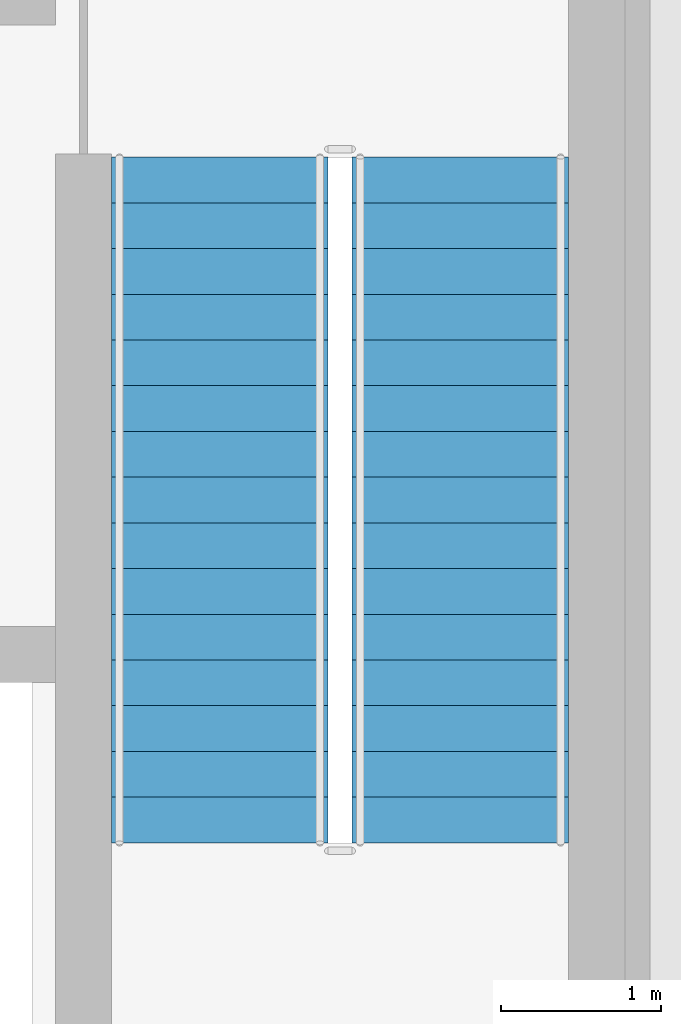
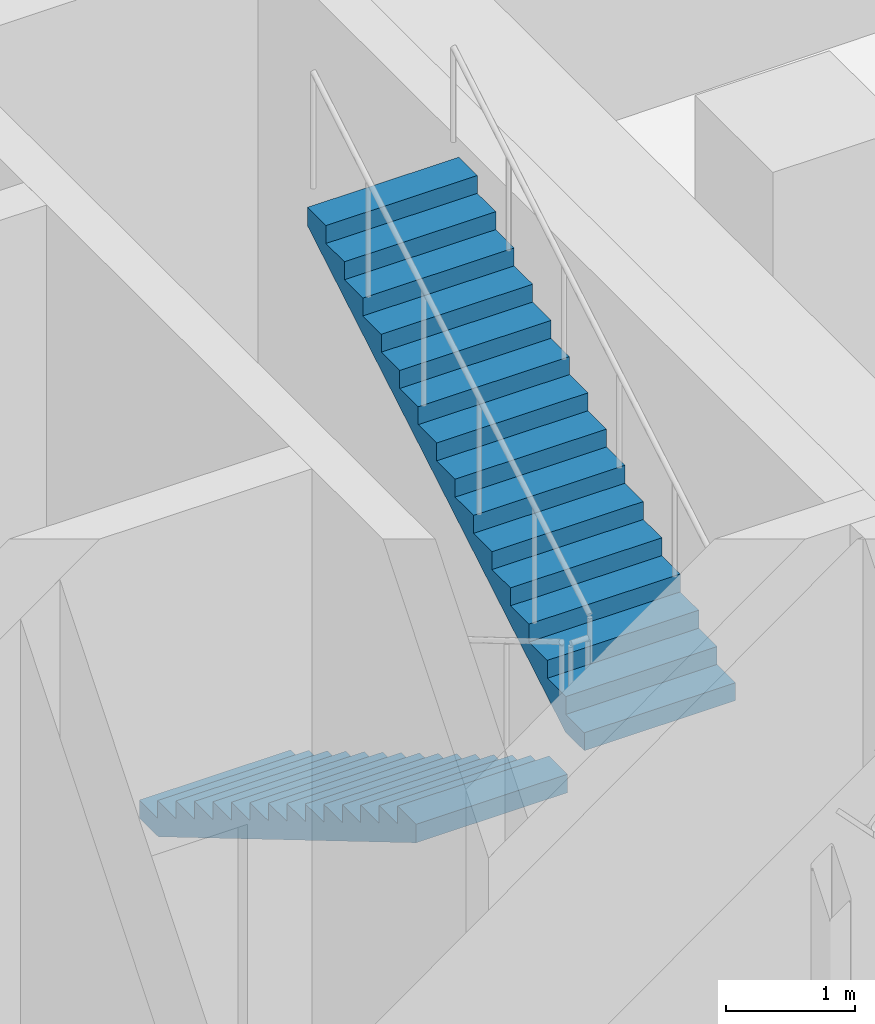
# One storey, part 10 of 12: 2 stair flights, 1 element without a shape of its own.
"""IFC4 building model written with IfcOpenShell, lengths in metres."""

from ifc_helpers import new_model, si_unit, direction, frame, origin, place, context, subcontext, project, spatial, polyline, outline, extrude, material, type_object, element, aggregate, save


model = new_model("IFC4")

# Units and contexts
model_context = context("Model", 3, precision=1e-05, world=origin(), true_north=direction((0.0, 1.0)))
body_context = subcontext(model_context, "Body", "Model", "MODEL_VIEW")
ifc_project = project(units=[si_unit("LENGTHUNIT", "METRE"), si_unit("AREAUNIT", "SQUARE_METRE"), si_unit("VOLUMEUNIT", "CUBIC_METRE"), si_unit("PLANEANGLEUNIT", "RADIAN"), si_unit("MASSUNIT", "GRAM", prefix="KILO")], contexts=[model_context])

# Site, building, storey
site_placement = place(None, origin())
site = spatial("IfcSite", under=ifc_project, at=site_placement, CompositionType="ELEMENT")
building_placement = place(site_placement, origin())
building = spatial("IfcBuilding", under=site, at=building_placement, Name="Almagre Mirador Tower", CompositionType="ELEMENT")
storey_placement = place(building_placement, frame((0.0, 0.0, 26.39990234375)))
storey = spatial("IfcBuildingStorey", under=building, at=storey_placement, Name="L05", CompositionType="ELEMENT", Elevation=26.39990234375)

# Stair, stair flights
ifc_material_1 = material(Name="Concrete C45/55", Category="concrete")
stair_type = type_object("IfcStairType", Name="STR-DL-5400", PredefinedType="HALF_TURN_STAIR", material=ifc_material_1)
stair_placement = place(storey_placement, origin())
stair = element("IfcStair", 1, at=stair_placement, inside=storey, type_object=stair_type, Name="L05 Protected exit stair ST-3", PredefinedType="HALF_TURN_STAIR")
ifc_material_2 = material(Name="Concrete C45/55", Category="concrete")
stair_flight_type = type_object("IfcStairFlightType", Name="FLT-DL-5400", PredefinedType="STRAIGHT", material=ifc_material_2)
stair_flight_1_placement = place(storey_placement, frame((44.14990234375, 11.199951171875, 0.0), z_axis=(0.0, 0.0, 1.0), x_axis=(0.0, -1.0, 0.0)))
stair_flight_1 = element("IfcStairFlight", 2, at=stair_flight_1_placement, type_object=stair_flight_type, Name="ST-3 flight 1", NumberOfRisers=16, NumberOfTreads=15, PredefinedType="STRAIGHT", RiserHeight=0.16875, TreadLength=0.285, context=body_context, shape_type="SweptSolid", body=[
    extrude(outline(polyline([(0.0, 0.0), (0.0, 0.168701171875), (0.284912109375, 0.168701171875), (0.284912109375, 0.33740234375), (0.570068359375, 0.33740234375), (0.570068359375, 0.50634765625), (0.85498046875, 0.50634765625), (0.85498046875, 0.675048828125), (1.139892578125, 0.675048828125), (1.139892578125, 0.84375), (1.425048828125, 0.84375), (1.425048828125, 1.012451171875), (1.7099609375, 1.012451171875), (1.7099609375, 1.18115234375), (1.9951171875, 1.18115234375), (1.9951171875, 1.35009765625), (2.280029296875, 1.35009765625), (2.280029296875, 1.518798828125), (2.56494140625, 1.518798828125), (2.56494140625, 1.6875), (2.85009765625, 1.6875), (2.85009765625, 1.856201171875), (3.135009765625, 1.856201171875), (3.135009765625, 2.02490234375), (3.419921875, 2.02490234375), (3.419921875, 2.19384765625), (3.705078125, 2.19384765625), (3.705078125, 2.362548828125), (3.989990234375, 2.362548828125), (3.989990234375, 2.53125), (4.27490234375, 2.53125), (4.27490234375, 2.699951171875), (4.27490234375, 2.35693359375), (0.294189453125, 0.0), (0.0, 0.0)])), frame((0.0, 0.675048828125, 0.0), z_axis=(0.0, -1.0, 0.0), x_axis=(1.0, 0.0, 0.0)), (0.0, 0.0, 1.0), 1.35009765625),
])
stair_flight_2_placement = place(storey_placement, frame((45.64990234375, 6.925048828125, 2.7001953125), z_axis=(0.0, 0.0, 1.0), x_axis=(0.0, 1.0, 0.0)))
stair_flight_2 = element("IfcStairFlight", 3, at=stair_flight_2_placement, type_object=stair_flight_type, Name="ST-3 flight 2", NumberOfRisers=16, NumberOfTreads=15, PredefinedType="STRAIGHT", RiserHeight=0.16875, TreadLength=0.285, context=body_context, shape_type="SweptSolid", body=[
    extrude(outline(polyline([(0.0, 0.0), (0.0, 0.168701171875), (0.284912109375, 0.168701171875), (0.284912109375, 0.33740234375), (0.570068359375, 0.33740234375), (0.570068359375, 0.50634765625), (0.85498046875, 0.50634765625), (0.85498046875, 0.675048828125), (1.139892578125, 0.675048828125), (1.139892578125, 0.84375), (1.425048828125, 0.84375), (1.425048828125, 1.012451171875), (1.7099609375, 1.012451171875), (1.7099609375, 1.18115234375), (1.9951171875, 1.18115234375), (1.9951171875, 1.35009765625), (2.280029296875, 1.35009765625), (2.280029296875, 1.518798828125), (2.56494140625, 1.518798828125), (2.56494140625, 1.6875), (2.85009765625, 1.6875), (2.85009765625, 1.856201171875), (3.135009765625, 1.856201171875), (3.135009765625, 2.02490234375), (3.419921875, 2.02490234375), (3.419921875, 2.19384765625), (3.705078125, 2.19384765625), (3.705078125, 2.362548828125), (3.989990234375, 2.362548828125), (3.989990234375, 2.53125), (4.27490234375, 2.53125), (4.27490234375, 2.699951171875), (4.27490234375, 2.35693359375), (0.294189453125, 0.0), (0.0, 0.0)])), frame((0.0, 0.675048828125, 0.0), z_axis=(0.0, -1.0, 0.0), x_axis=(1.0, 0.0, 0.0)), (0.0, 0.0, 1.0), 1.35009765625),
])
aggregate(stair, [stair_flight_1, stair_flight_2])

save(model, "model.ifc")
